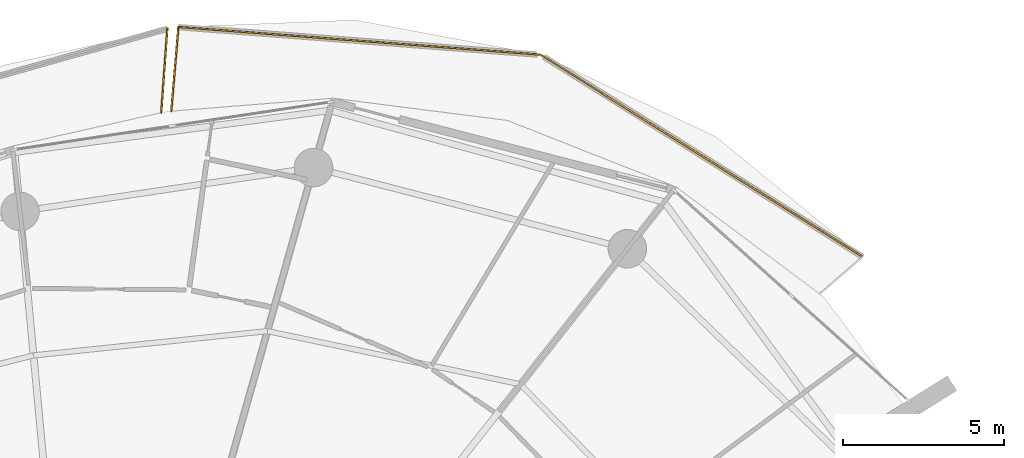
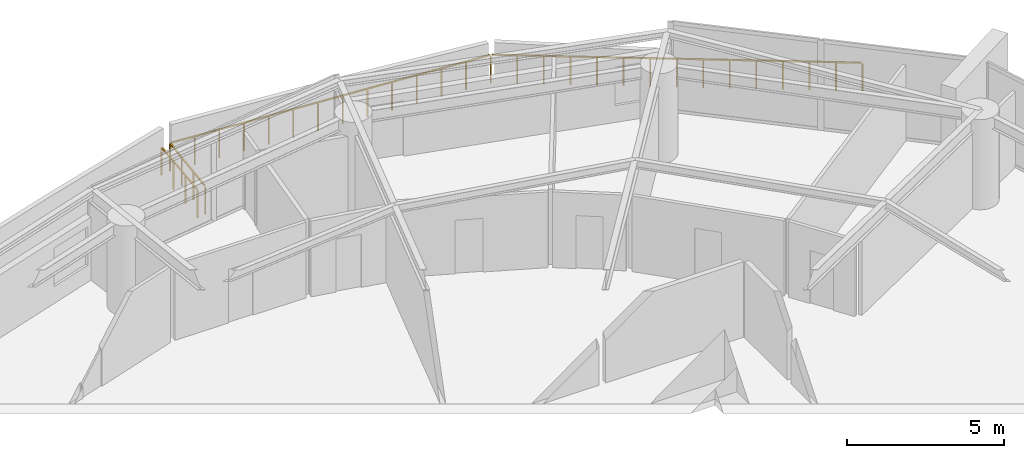
# One storey, part 22 of 22: 4 railings.
"""IFC4 building model written with IfcOpenShell, lengths in metres."""

from ifc_helpers import new_model, si_unit, direction, frame, origin, origin_2d, place, context, subcontext, project, spatial, rectangle, extrude, material, type_object, element, save


model = new_model("IFC4")

# Units and contexts
model_context = context("Model", 3, precision=1e-05, world=origin(), true_north=direction((0.0, 1.0)))
body_context = subcontext(model_context, "Body", "Model", "MODEL_VIEW")
ifc_project = project(units=[si_unit("LENGTHUNIT", "METRE"), si_unit("AREAUNIT", "SQUARE_METRE"), si_unit("VOLUMEUNIT", "CUBIC_METRE"), si_unit("PLANEANGLEUNIT", "RADIAN"), si_unit("MASSUNIT", "GRAM", prefix="KILO")], contexts=[model_context])

# Site, building, storey
site_placement = place(None, origin())
site = spatial("IfcSite", under=ifc_project, at=site_placement, CompositionType="ELEMENT")
building_placement = place(site_placement, origin())
building = spatial("IfcBuilding", under=site, at=building_placement, Name="Kazma Halo Residences", CompositionType="ELEMENT")
storey_placement = place(building_placement, frame((0.0, 0.0, 93.89990234375)))
storey = spatial("IfcBuildingStorey", under=building, at=storey_placement, Name="L23", CompositionType="ELEMENT", Elevation=93.89990234375)

# Railings
ifc_material = material(Name="Aluminium AW-6063 T6 Brushed Cap Rail", Category="aluminium")
railing_type = type_object("IfcRailingType", Name="RLG-BAL-CAP-1120", PredefinedType="BALUSTRADE", material=ifc_material)
railing_1_placement = place(storey_placement, frame((71.654541015625, 62.4541015625, 0.0)))
element("IfcRailing", 1, at=railing_1_placement, inside=storey, type_object=railing_type, Name="L23 NE wave balcony guard 2", PredefinedType="BALUSTRADE", context=body_context, shape_type="SweptSolid", body=[
    extrude(rectangle(XDim=0.050048828125, YDim=0.050048828125, at=origin_2d()), frame((-0.0361328125, 0.022705078125, 1.09521484375), z_axis=(-0.846863203763, 0.531810787887, 0.0), x_axis=(-0.531810787887, -0.846863203763, 0.0)), (0.0, 0.0, 1.0), 11.752685546875),
    extrude(rectangle(XDim=0.0400390625, YDim=0.0400390625, at=origin_2d()), origin(), (0.0, 0.0, 1.0), 1.05810546875),
    extrude(rectangle(XDim=0.0400390625, YDim=0.0400390625, at=origin_2d()), frame((-0.716064453125, 0.44970703125, 0.0)), (0.0, 0.0, 1.0), 1.05810546875),
    extrude(rectangle(XDim=0.0400390625, YDim=0.0400390625, at=origin_2d()), frame((-1.43212890625, 0.8994140625, 0.0)), (0.0, 0.0, 1.0), 1.05810546875),
    extrude(rectangle(XDim=0.0400390625, YDim=0.0400390625, at=origin_2d()), frame((-2.148193359375, 1.34912109375, 0.0)), (0.0, 0.0, 1.0), 1.05810546875),
    extrude(rectangle(XDim=0.0400390625, YDim=0.0400390625, at=origin_2d()), frame((-2.8642578125, 1.798583984375, 0.0)), (0.0, 0.0, 1.0), 1.05810546875),
    extrude(rectangle(XDim=0.0400390625, YDim=0.0400390625, at=origin_2d()), frame((-3.580322265625, 2.248291015625, 0.0)), (0.0, 0.0, 1.0), 1.05810546875),
    extrude(rectangle(XDim=0.0400390625, YDim=0.0400390625, at=origin_2d()), frame((-4.29638671875, 2.697998046875, 0.0)), (0.0, 0.0, 1.0), 1.05810546875),
    extrude(rectangle(XDim=0.0400390625, YDim=0.0400390625, at=origin_2d()), frame((-5.012451171875, 3.147705078125, 0.0)), (0.0, 0.0, 1.0), 1.05810546875),
    extrude(rectangle(XDim=0.0400390625, YDim=0.0400390625, at=origin_2d()), frame((-5.728515625, 3.597412109375, 0.0)), (0.0, 0.0, 1.0), 1.05810546875),
    extrude(rectangle(XDim=0.0400390625, YDim=0.0400390625, at=origin_2d()), frame((-6.444580078125, 4.047119140625, 0.0)), (0.0, 0.0, 1.0), 1.05810546875),
    extrude(rectangle(XDim=0.0400390625, YDim=0.0400390625, at=origin_2d()), frame((-7.16064453125, 4.496826171875, 0.0)), (0.0, 0.0, 1.0), 1.05810546875),
    extrude(rectangle(XDim=0.0400390625, YDim=0.0400390625, at=origin_2d()), frame((-7.876708984375, 4.9462890625, 0.0)), (0.0, 0.0, 1.0), 1.05810546875),
    extrude(rectangle(XDim=0.0400390625, YDim=0.0400390625, at=origin_2d()), frame((-8.5927734375, 5.39599609375, 0.0)), (0.0, 0.0, 1.0), 1.05810546875),
    extrude(rectangle(XDim=0.0400390625, YDim=0.0400390625, at=origin_2d()), frame((-9.308837890625, 5.845703125, 0.0)), (0.0, 0.0, 1.0), 1.05810546875),
    extrude(rectangle(XDim=0.0400390625, YDim=0.0400390625, at=origin_2d()), frame((-10.02490234375, 6.29541015625, 0.0)), (0.0, 0.0, 1.0), 1.05810546875),
])
railing_2_placement = place(storey_placement, frame((61.629638671875, 68.74951171875, 0.0)))
element("IfcRailing", 2, at=railing_2_placement, inside=storey, type_object=railing_type, Name="L23 NE wave balcony guard 3", PredefinedType="BALUSTRADE", context=body_context, shape_type="SweptSolid", body=[
    extrude(rectangle(XDim=0.050048828125, YDim=0.050048828125, at=origin_2d()), frame((-0.04248046875, 0.003173828125, 1.09521484375), z_axis=(-0.997087631922, 0.076264370895, 0.0), x_axis=(-0.076264370895, -0.997087631922, 0.0)), (0.0, 0.0, 1.0), 11.234619140625),
    extrude(rectangle(XDim=0.0400390625, YDim=0.0400390625, at=origin_2d()), origin(), (0.0, 0.0, 1.0), 1.05810546875),
    extrude(rectangle(XDim=0.0400390625, YDim=0.0400390625, at=origin_2d()), frame((-0.8681640625, 0.06640625, 0.0)), (0.0, 0.0, 1.0), 1.05810546875),
    extrude(rectangle(XDim=0.0400390625, YDim=0.0400390625, at=origin_2d()), frame((-1.736328125, 0.1328125, 0.0)), (0.0, 0.0, 1.0), 1.05810546875),
    extrude(rectangle(XDim=0.0400390625, YDim=0.0400390625, at=origin_2d()), frame((-2.6044921875, 0.19921875, 0.0)), (0.0, 0.0, 1.0), 1.05810546875),
    extrude(rectangle(XDim=0.0400390625, YDim=0.0400390625, at=origin_2d()), frame((-3.472900390625, 0.265625, 0.0)), (0.0, 0.0, 1.0), 1.05810546875),
    extrude(rectangle(XDim=0.0400390625, YDim=0.0400390625, at=origin_2d()), frame((-4.341064453125, 0.33203125, 0.0)), (0.0, 0.0, 1.0), 1.05810546875),
    extrude(rectangle(XDim=0.0400390625, YDim=0.0400390625, at=origin_2d()), frame((-5.209228515625, 0.3984375, 0.0)), (0.0, 0.0, 1.0), 1.05810546875),
    extrude(rectangle(XDim=0.0400390625, YDim=0.0400390625, at=origin_2d()), frame((-6.077392578125, 0.46484375, 0.0)), (0.0, 0.0, 1.0), 1.05810546875),
    extrude(rectangle(XDim=0.0400390625, YDim=0.0400390625, at=origin_2d()), frame((-6.945556640625, 0.53125, 0.0)), (0.0, 0.0, 1.0), 1.05810546875),
    extrude(rectangle(XDim=0.0400390625, YDim=0.0400390625, at=origin_2d()), frame((-7.813720703125, 0.59765625, 0.0)), (0.0, 0.0, 1.0), 1.05810546875),
    extrude(rectangle(XDim=0.0400390625, YDim=0.0400390625, at=origin_2d()), frame((-8.68212890625, 0.6640625, 0.0)), (0.0, 0.0, 1.0), 1.05810546875),
    extrude(rectangle(XDim=0.0400390625, YDim=0.0400390625, at=origin_2d()), frame((-9.55029296875, 0.73046875, 0.0)), (0.0, 0.0, 1.0), 1.05810546875),
    extrude(rectangle(XDim=0.0400390625, YDim=0.0400390625, at=origin_2d()), frame((-10.41845703125, 0.796875, 0.0)), (0.0, 0.0, 1.0), 1.05810546875),
    extrude(rectangle(XDim=0.0400390625, YDim=0.0400390625, at=origin_2d()), frame((-11.28662109375, 0.86328125, 0.0)), (0.0, 0.0, 1.0), 1.05810546875),
])
railing_3_placement = place(storey_placement, frame((50.343017578125, 69.61279296875, 0.0)))
element("IfcRailing", 3, at=railing_3_placement, inside=storey, type_object=railing_type, Name="L23 NE wave balcony guard 4", PredefinedType="BALUSTRADE", context=body_context, shape_type="SweptSolid", body=[
    extrude(rectangle(XDim=0.050048828125, YDim=0.050048828125, at=origin_2d()), frame((-0.003662109375, -0.04248046875, 1.09521484375), z_axis=(-0.084574307867, -0.996417174907, 0.0), x_axis=(0.996417174907, -0.084574307867, 0.0)), (0.0, 0.0, 1.0), 2.544677734375),
    extrude(rectangle(XDim=0.0400390625, YDim=0.0400390625, at=origin_2d()), origin(), (0.0, 0.0, 1.0), 1.05810546875),
    extrude(rectangle(XDim=0.0400390625, YDim=0.0400390625, at=origin_2d()), frame((-0.07421875, -0.87353515625, 0.0)), (0.0, 0.0, 1.0), 1.05810546875),
    extrude(rectangle(XDim=0.0400390625, YDim=0.0400390625, at=origin_2d()), frame((-0.148193359375, -1.746826171875, 0.0)), (0.0, 0.0, 1.0), 1.05810546875),
    extrude(rectangle(XDim=0.0400390625, YDim=0.0400390625, at=origin_2d()), frame((-0.222412109375, -2.620361328125, 0.0)), (0.0, 0.0, 1.0), 1.05810546875),
])
railing_4_placement = place(storey_placement, frame((49.81005859375, 66.94580078125, 0.0)))
element("IfcRailing", 4, at=railing_4_placement, inside=storey, type_object=railing_type, Name="L23 NNW wave balcony guard 1", PredefinedType="BALUSTRADE", context=body_context, shape_type="SweptSolid", body=[
    extrude(rectangle(XDim=0.050048828125, YDim=0.050048828125, at=origin_2d()), frame((0.003173828125, 0.04248046875, 1.09521484375), z_axis=(0.072357392934, 0.997378768416, 0.0), x_axis=(-0.997378768416, 0.072357392934, 0.0)), (0.0, 0.0, 1.0), 2.5400390625),
    extrude(rectangle(XDim=0.0400390625, YDim=0.0400390625, at=origin_2d()), origin(), (0.0, 0.0, 1.0), 1.05810546875),
    extrude(rectangle(XDim=0.0400390625, YDim=0.0400390625, at=origin_2d()), frame((0.063232421875, 0.872802734375, 0.0)), (0.0, 0.0, 1.0), 1.05810546875),
    extrude(rectangle(XDim=0.0400390625, YDim=0.0400390625, at=origin_2d()), frame((0.126708984375, 1.745361328125, 0.0)), (0.0, 0.0, 1.0), 1.05810546875),
    extrude(rectangle(XDim=0.0400390625, YDim=0.0400390625, at=origin_2d()), frame((0.18994140625, 2.6181640625, 0.0)), (0.0, 0.0, 1.0), 1.05810546875),
])

save(model, "model.ifc")
